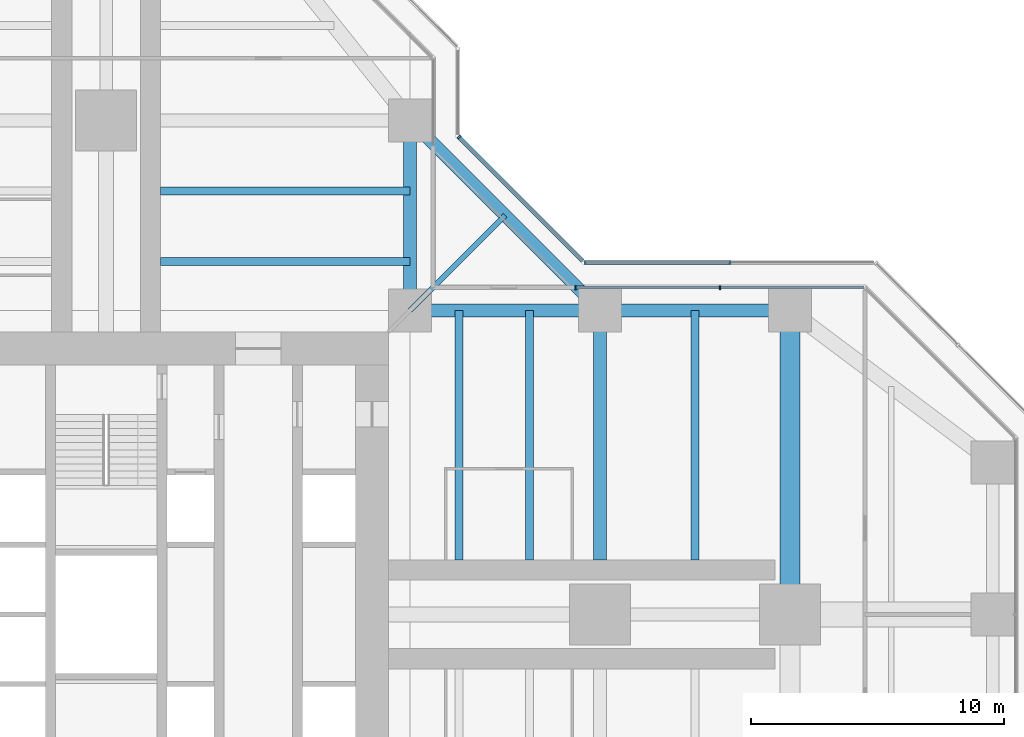
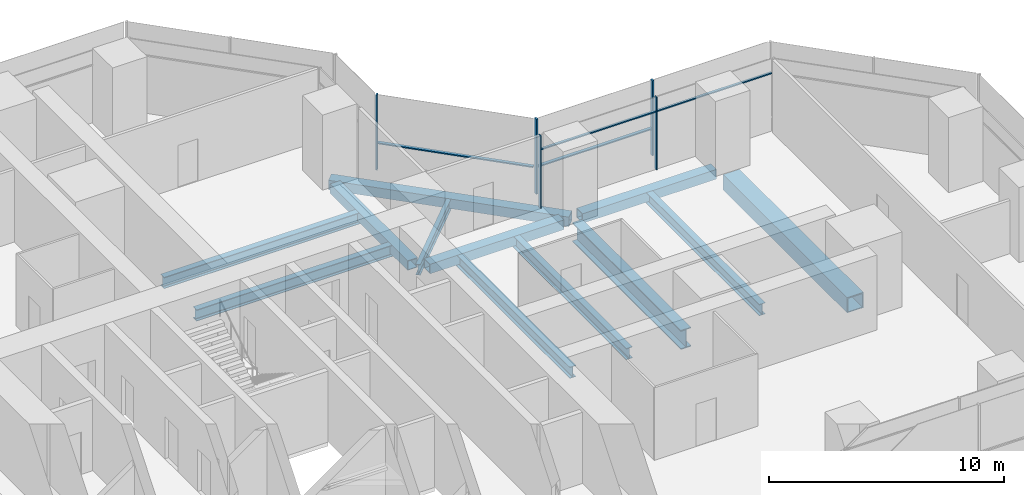
# One storey, part 9 of 19: 12 beams, 9 members, 3 elements without a shape of their own.
"""IFC4 building model written with IfcOpenShell, lengths in metres."""

from ifc_helpers import new_model, si_unit, direction, frame, origin, origin_2d, place, context, subcontext, project, spatial, rectangle, hollow_rectangle, i_section, extrude, material, material_profile, profile_set, type_object, element, aggregate, save


model = new_model("IFC4")

# Units and contexts
model_context = context("Model", 3, precision=1e-05, world=origin(), true_north=direction((0.0, 1.0)))
body_context = subcontext(model_context, "Body", "Model", "MODEL_VIEW")
ifc_project = project(units=[si_unit("LENGTHUNIT", "METRE"), si_unit("AREAUNIT", "SQUARE_METRE"), si_unit("VOLUMEUNIT", "CUBIC_METRE"), si_unit("PLANEANGLEUNIT", "RADIAN"), si_unit("MASSUNIT", "GRAM", prefix="KILO")], contexts=[model_context])

# Site, building, storey
site_placement = place(None, origin())
site = spatial("IfcSite", under=ifc_project, at=site_placement, CompositionType="ELEMENT")
building_placement = place(site_placement, origin())
building = spatial("IfcBuilding", under=site, at=building_placement, Name="Mizan Broadcast Tower", CompositionType="ELEMENT")
storey_placement = place(building_placement, frame((0.0, 0.0, 163.199951171875)))
storey = spatial("IfcBuildingStorey", under=building, at=storey_placement, Name="L37", CompositionType="ELEMENT", Elevation=163.199951171875)

# Beams
ifc_material_1 = material(Name="Steel S355", Category="steel")
ifc_material_profile_1 = material_profile(ifc_material_1, hollow_rectangle(XDim=0.5, YDim=0.5, WallThickness=0.030029296875, at=origin_2d()), Name="BOX 500x500x30")
ifc_profile_set_1 = profile_set([ifc_material_profile_1], Name="Steel S355")
beam_type_1 = type_object("IfcBeamType", Name="EDGE BEAM BOX 500x500x30", PredefinedType="SPANDREL", material=ifc_profile_set_1)
for number, where, z_axis, x_axis, name in (
    (1, (12.449951171875, 12.0, -0.3798828125), (1.0, 0.0, 0.0), (0.0, 1.0, 0.0), "Edge beam BOX 500x500x30 L37 east arm"),
    (2, (19.949951171875, 12.0, -0.3798828125), (1.0, 0.0, 0.0), (0.0, 1.0, 0.0), "Edge beam BOX 500x500x30 L37 east arm"),
    (3, (12.0, 12.449951171875, -0.3798828125), (0.0, 1.0, 0.0), (-1.0, 0.0, 0.0), "Edge beam BOX 500x500x30 L37 north arm"),
):
    element("IfcBeam", number, at=place(storey_placement, frame(where, z_axis=z_axis, x_axis=x_axis)), inside=storey, type_object=beam_type_1, Name=name, PredefinedType="SPANDREL", context=body_context, shape_type="SweptSolid", body=[
        extrude(hollow_rectangle(XDim=0.5, YDim=0.5, WallThickness=0.030029296875, at=origin_2d()), origin(), (0.0, 0.0, 1.0), 6.60009765625),
    ])
beam_1_placement = place(storey_placement, frame((19.5, 12.0, -0.3798828125), z_axis=(-0.707106781187, 0.707106781187, 0.0), x_axis=(-0.707106781187, -0.707106781187, 0.0)))
element("IfcBeam", 4, at=beam_1_placement, inside=storey, type_object=beam_type_1, Name="Winter garden edge beam L37 E", PredefinedType="SPANDREL", context=body_context, shape_type="SweptSolid", body=[
    extrude(hollow_rectangle(XDim=0.5, YDim=0.5, WallThickness=0.030029296875, at=origin_2d()), origin(), (0.0, 0.0, 1.0), 10.606689453125),
])
ifc_material_2 = material(Name="Steel S460", Category="steel")
ifc_material_profile_2 = material_profile(ifc_material_2, hollow_rectangle(XDim=0.800048828125, YDim=0.800048828125, WallThickness=0.050048828125, at=origin_2d()), Name="BOX 800x800x50")
ifc_profile_set_2 = profile_set([ifc_material_profile_2], Name="Steel S460")
beam_type_2 = type_object("IfcBeamType", Name="GIRDER BOX 800x800x50", PredefinedType="BEAM", material=ifc_profile_set_2)
beam_2_placement = place(storey_placement, frame((27.0, 11.280029296875, -0.530029296875), z_axis=(0.0, -1.0, 0.0), x_axis=(1.0, 0.0, 0.0)))
element("IfcBeam", 5, at=beam_2_placement, inside=storey, type_object=beam_type_2, Name="Girder BOX 800x800x50 L37 east arm", PredefinedType="BEAM", context=body_context, shape_type="SweptSolid", body=[
    extrude(hollow_rectangle(XDim=0.800048828125, YDim=0.800048828125, WallThickness=0.050048828125, at=origin_2d()), origin(), (0.0, 0.0, 1.0), 10.56005859375),
])
ifc_material_3 = material(Name="Steel S460", Category="steel")
ifc_material_profile_3 = material_profile(ifc_material_3, i_section(OverallWidth=0.5, OverallDepth=1.0, WebThickness=0.02490234375, FlangeThickness=0.050048828125, at=origin_2d()), Name="WPG 1000x500")
ifc_profile_set_3 = profile_set([ifc_material_profile_3], Name="Steel S460")
beam_type_3 = type_object("IfcBeamType", Name="GIRDER WPG 1000x500", PredefinedType="BEAM", material=ifc_profile_set_3)
beam_3_placement = place(storey_placement, frame((19.5, 11.408935546875, -0.6298828125), z_axis=(0.0, -1.0, 0.0), x_axis=(1.0, 0.0, 0.0)))
element("IfcBeam", 6, at=beam_3_placement, inside=storey, type_object=beam_type_3, Name="Girder WPG 1000x500 L37 east arm", PredefinedType="BEAM", context=body_context, shape_type="SweptSolid", body=[
    extrude(i_section(OverallWidth=0.5, OverallDepth=1.0, WebThickness=0.02490234375, FlangeThickness=0.050048828125, at=origin_2d()), origin(), (0.0, 0.0, 1.0), 9.259033203125),
])

# Curtain wall, members
ifc_material_4 = material(Name="Aluminium framed glazing", Category="aluminium")
curtain_wall_type_1 = type_object("IfcCurtainWallType", Name="INNER SKIN MID ZONE", PredefinedType="USERDEFINED", material=ifc_material_4)
curtain_wall_1_placement = place(storey_placement, origin())
curtain_wall_1 = element("IfcCurtainWall", 7, at=curtain_wall_1_placement, inside=storey, type_object=curtain_wall_type_1, Name="Inner skin mid zone L37 E side", ObjectType="INNER SKIN MID ZONE", PredefinedType="USERDEFINED")
ifc_material_5 = material(Name="Aluminium, pale anodised", Category="aluminium")
ifc_material_profile_4 = material_profile(ifc_material_5, rectangle(XDim=0.159912109375, YDim=0.06005859375, at=origin_2d()), Name="MULLION 160x60")
ifc_profile_set_4 = profile_set([ifc_material_profile_4], Name="Aluminium, pale anodised")
member_type_1 = type_object("IfcMemberType", Name="INNER SKIN MULLION 60x160", PredefinedType="MULLION", material=ifc_profile_set_4)
member_1_placement = place(storey_placement, frame((24.229248046875, 12.89990234375, 0.0), z_axis=(0.0, 0.0, 1.0), x_axis=(0.0, -1.0, 0.0)))
member_1 = element("IfcMember", 8, at=member_1_placement, type_object=member_type_1, Name="Inner skin mid zone L37 E side mullion 2", PredefinedType="MULLION", context=body_context, shape_type="SweptSolid", body=[
    extrude(rectangle(XDim=0.159912109375, YDim=0.06005859375, at=origin_2d()), origin(), (0.0, 0.0, 1.0), 3.77001953125),
])
member_2_placement = place(storey_placement, frame((18.530029296875, 12.89990234375, 0.0), z_axis=(0.0, 0.0, 1.0), x_axis=(0.0, -1.0, 0.0)))
member_2 = element("IfcMember", 9, at=member_2_placement, type_object=member_type_1, Name="Inner skin mid zone L37 E side mullion 3", PredefinedType="MULLION", context=body_context, shape_type="SweptSolid", body=[
    extrude(rectangle(XDim=0.159912109375, YDim=0.06005859375, at=origin_2d()), origin(), (0.0, 0.0, 1.0), 3.77001953125),
])
ifc_material_6 = material(Name="Aluminium, pale anodised", Category="aluminium")
ifc_material_profile_5 = material_profile(ifc_material_6, rectangle(XDim=0.1201171875, YDim=0.06005859375, at=origin_2d()), Name="TRANSOM 120x60")
ifc_profile_set_5 = profile_set([ifc_material_profile_5], Name="Aluminium, pale anodised")
member_type_2 = type_object("IfcMemberType", Name="INNER SKIN TRANSOM 60x120", PredefinedType="USERDEFINED", material=ifc_profile_set_5)
member_3_placement = place(storey_placement, frame((29.898681640625, 12.89990234375, 3.030029296875), z_axis=(-1.0, 0.0, 0.0), x_axis=(0.0, -1.0, 0.0)))
member_3 = element("IfcMember", 10, at=member_3_placement, type_object=member_type_2, Name="Inner skin mid zone L37 E side transom 1.1", ObjectType="TRANSOM", PredefinedType="USERDEFINED", context=body_context, shape_type="SweptSolid", body=[
    extrude(rectangle(XDim=0.1201171875, YDim=0.06005859375, at=origin_2d()), origin(), (0.0, 0.0, 1.0), 5.639404296875),
])
member_4_placement = place(storey_placement, frame((24.19921875, 12.89990234375, 3.030029296875), z_axis=(-1.0, 0.0, 0.0), x_axis=(0.0, -1.0, 0.0)))
member_4 = element("IfcMember", 11, at=member_4_placement, type_object=member_type_2, Name="Inner skin mid zone L37 E side transom 2.1", ObjectType="TRANSOM", PredefinedType="USERDEFINED", context=body_context, shape_type="SweptSolid", body=[
    extrude(rectangle(XDim=0.1201171875, YDim=0.06005859375, at=origin_2d()), origin(), (0.0, 0.0, 1.0), 5.63916015625),
])
aggregate(curtain_wall_1, [member_1, member_2, member_3, member_4])

ifc_material_7 = material(Name="Aluminium framed glazing", Category="aluminium")
curtain_wall_type_2 = type_object("IfcCurtainWallType", Name="OUTER SKIN", PredefinedType="USERDEFINED", material=ifc_material_7)
curtain_wall_2_placement = place(storey_placement, origin())
curtain_wall_2 = element("IfcCurtainWall", 12, at=curtain_wall_2_placement, inside=storey, type_object=curtain_wall_type_2, Name="Outer skin L37 E side", ObjectType="OUTER SKIN", PredefinedType="USERDEFINED")
ifc_material_8 = material(Name="Aluminium, pale anodised", Category="aluminium")
ifc_material_profile_6 = material_profile(ifc_material_8, rectangle(XDim=0.159912109375, YDim=0.080078125, at=origin_2d()), Name="MULLION 160x80")
ifc_profile_set_6 = profile_set([ifc_material_profile_6], Name="Aluminium, pale anodised")
member_type_3 = type_object("IfcMemberType", Name="OUTER SKIN MULLION 80x160", PredefinedType="MULLION", material=ifc_profile_set_6)
member_5_placement = place(storey_placement, frame((24.622802734375, 13.89990234375, 0.0), z_axis=(0.0, 0.0, 1.0), x_axis=(0.0, -1.0, 0.0)))
member_5 = element("IfcMember", 13, at=member_5_placement, type_object=member_type_3, Name="Outer skin L37 E side mullion 2", PredefinedType="MULLION", context=body_context, shape_type="SweptSolid", body=[
    extrude(rectangle(XDim=0.159912109375, YDim=0.080078125, at=origin_2d()), origin(), (0.0, 0.0, 1.0), 3.900146484375),
])
member_6_placement = place(storey_placement, frame((18.912841796875, 13.89990234375, 0.0), z_axis=(0.0, 0.0, 1.0), x_axis=(0.0, -1.0, 0.0)))
member_6 = element("IfcMember", 14, at=member_6_placement, type_object=member_type_3, Name="Outer skin L37 E side mullion 3", PredefinedType="MULLION", context=body_context, shape_type="SweptSolid", body=[
    extrude(rectangle(XDim=0.159912109375, YDim=0.080078125, at=origin_2d()), origin(), (0.0, 0.0, 1.0), 3.900146484375),
])

# Curtain wall, member
curtain_wall_3_placement = place(storey_placement, origin())
curtain_wall_3 = element("IfcCurtainWall", 15, at=curtain_wall_3_placement, inside=storey, type_object=curtain_wall_type_2, Name="Outer skin L37 E chamfer", ObjectType="OUTER SKIN", PredefinedType="USERDEFINED")
member_7_placement = place(storey_placement, frame((13.92822265625, 18.844482421875, 0.0), z_axis=(0.0, 0.0, 1.0), x_axis=(-0.707106781187, -0.707106781187, 0.0)))
member_7 = element("IfcMember", 16, at=member_7_placement, type_object=member_type_3, Name="Outer skin L37 E chamfer mullion 2", PredefinedType="MULLION", context=body_context, shape_type="SweptSolid", body=[
    extrude(rectangle(XDim=0.159912109375, YDim=0.080078125, at=origin_2d()), origin(), (0.0, 0.0, 1.0), 3.900146484375),
])

# Member
ifc_material_9 = material(Name="Aluminium, pale anodised", Category="aluminium")
ifc_material_profile_7 = material_profile(ifc_material_9, rectangle(XDim=0.159912109375, YDim=0.06005859375, at=origin_2d()), Name="TRANSOM 160x60")
ifc_profile_set_7 = profile_set([ifc_material_profile_7], Name="Aluminium, pale anodised")
member_type_4 = type_object("IfcMemberType", Name="OUTER SKIN TRANSOM 60x160", PredefinedType="USERDEFINED", material=ifc_profile_set_7)
member_8_placement = place(storey_placement, frame((24.582763671875, 13.89990234375, 1.400146484375), z_axis=(-1.0, 0.0, 0.0), x_axis=(0.0, -1.0, 0.0)))
member_8 = element("IfcMember", 17, at=member_8_placement, type_object=member_type_4, Name="Outer skin L37 E side transom 2.1", ObjectType="TRANSOM", PredefinedType="USERDEFINED", context=body_context, shape_type="SweptSolid", body=[
    extrude(rectangle(XDim=0.159912109375, YDim=0.06005859375, at=origin_2d()), origin(), (0.0, 0.0, 1.0), 5.6298828125),
])

aggregate(curtain_wall_2, [member_5, member_6, member_8])

member_9_placement = place(storey_placement, frame((18.816162109375, 13.95654296875, 1.400146484375), z_axis=(-0.707106781187, 0.707106781187, 0.0), x_axis=(-0.707106781187, -0.707106781187, 0.0)))
member_9 = element("IfcMember", 18, at=member_9_placement, type_object=member_type_4, Name="Outer skin L37 E chamfer transom 1.1", ObjectType="TRANSOM", PredefinedType="USERDEFINED", context=body_context, shape_type="SweptSolid", body=[
    extrude(rectangle(XDim=0.159912109375, YDim=0.06005859375, at=origin_2d()), origin(), (0.0, 0.0, 1.0), 6.87255859375),
])

aggregate(curtain_wall_3, [member_7, member_9])

# Beams
ifc_material_10 = material(Name="Steel S355", Category="steel")
ifc_material_profile_8 = material_profile(ifc_material_10, i_section(OverallWidth=0.300048828125, OverallDepth=0.590087890625, WebThickness=0.012939453125, FlangeThickness=0.02490234375, FilletRadius=0.027099609375, at=origin_2d()), Name="HEA 600")
ifc_profile_set_8 = profile_set([ifc_material_profile_8], Name="Steel S355")
beam_type_4 = type_object("IfcBeamType", Name="SECONDARY BEAM HEA 600", PredefinedType="JOIST", material=ifc_profile_set_8)
for number, where, z_axis, x_axis, name in (
    (19, (13.933349609375, 12.0, -0.425048828125), (0.0, -1.0, 0.0), (1.0, 0.0, 0.0), "Secondary beam HEA 600 L37 east arm"),
    (20, (16.716552734375, 12.0, -0.425048828125), (0.0, -1.0, 0.0), (1.0, 0.0, 0.0), "Secondary beam HEA 600 L37 east arm"),
    (21, (23.25, 12.0, -0.425048828125), (0.0, -1.0, 0.0), (1.0, 0.0, 0.0), "Secondary beam HEA 600 L37 east arm"),
    (22, (12.0, 13.933349609375, -0.425048828125), (-1.0, 0.0, 0.0), (0.0, -1.0, 0.0), "Secondary beam HEA 600 L37 north arm"),
    (23, (12.0, 16.716552734375, -0.425048828125), (-1.0, 0.0, 0.0), (0.0, -1.0, 0.0), "Secondary beam HEA 600 L37 north arm"),
):
    element("IfcBeam", number, at=place(storey_placement, frame(where, z_axis=z_axis, x_axis=x_axis)), inside=storey, type_object=beam_type_4, Name=name, PredefinedType="JOIST", context=body_context, shape_type="SweptSolid", body=[
        extrude(i_section(OverallWidth=0.300048828125, OverallDepth=0.590087890625, WebThickness=0.012939453125, FlangeThickness=0.02490234375, FilletRadius=0.027099609375, at=origin_2d()), origin(), (0.0, 0.0, 1.0), 9.85009765625),
    ])
ifc_material_11 = material(Name="Steel S355", Category="steel")
ifc_material_profile_9 = material_profile(ifc_material_11, i_section(OverallWidth=0.2099609375, OverallDepth=0.550048828125, WebThickness=0.010986328125, FlangeThickness=0.01708984375, FilletRadius=0.02392578125, at=origin_2d()), Name="IPE 550")
ifc_profile_set_9 = profile_set([ifc_material_profile_9], Name="Steel S355")
beam_type_5 = type_object("IfcBeamType", Name="SECONDARY BEAM IPE 550", PredefinedType="JOIST", material=ifc_profile_set_9)
beam_4_placement = place(storey_placement, frame((12.0, 12.0, -0.405029296875), z_axis=(0.707106781187, 0.707106781187, 0.0), x_axis=(-0.707106781187, 0.707106781187, 0.0)))
element("IfcBeam", 24, at=beam_4_placement, inside=storey, type_object=beam_type_5, Name="Winter garden beam L37 E", PredefinedType="JOIST", context=body_context, shape_type="SweptSolid", body=[
    extrude(i_section(OverallWidth=0.2099609375, OverallDepth=0.550048828125, WebThickness=0.010986328125, FlangeThickness=0.01708984375, FilletRadius=0.02392578125, at=origin_2d()), origin(), (0.0, 0.0, 1.0), 5.30322265625),
])

save(model, "model.ifc")
